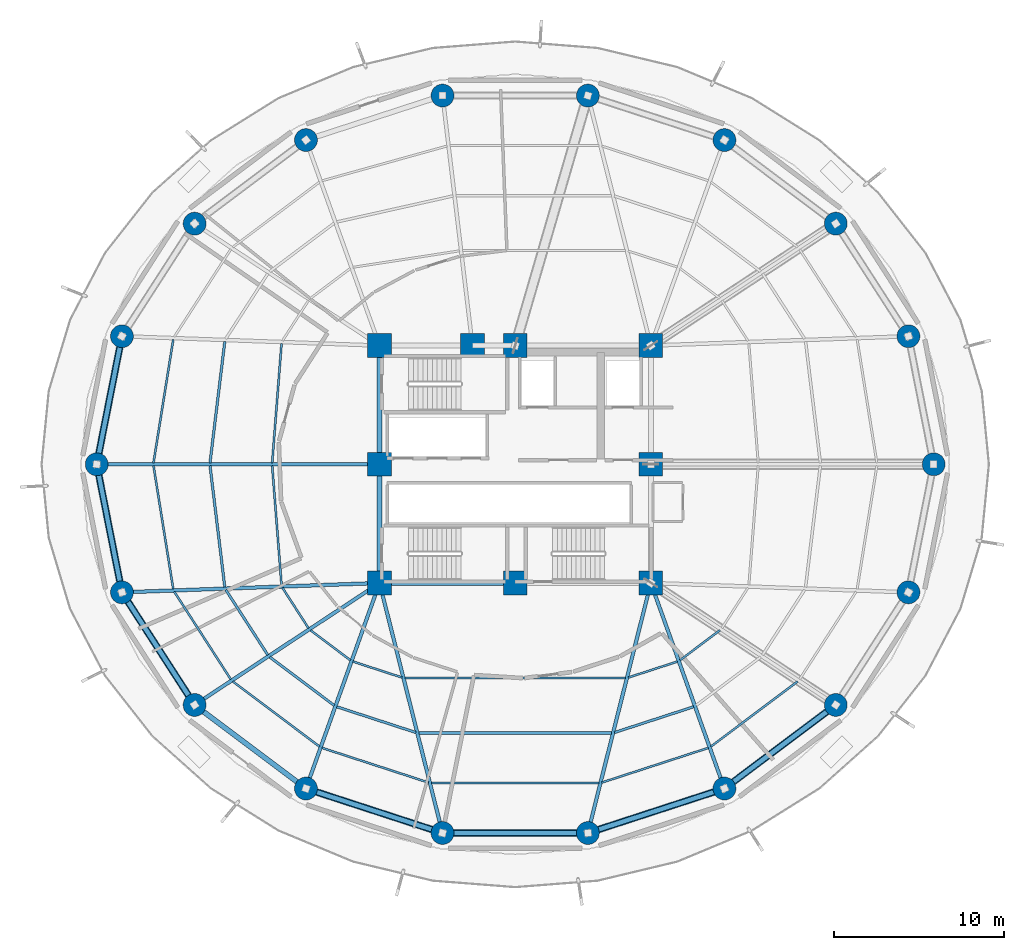
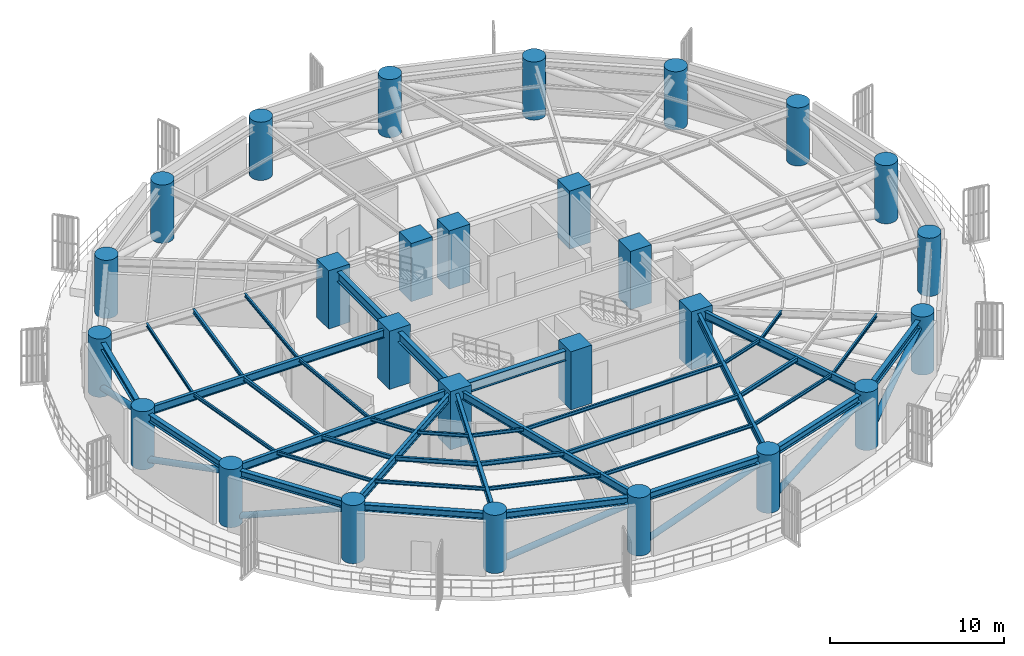
# One storey, part 1 of 10: 41 beams, 27 columns, 7 members.
"""IFC4 building model written with IfcOpenShell, lengths in metres."""

from ifc_helpers import new_model, si_unit, direction, frame, origin, origin_2d, place, context, subcontext, project, spatial, rectangle, circle, hollow_circle, i_section, extrude, material, material_profile, profile_set, type_object, element, save


model = new_model("IFC4")

# Units and contexts
model_context = context("Model", 3, precision=1e-05, world=origin(), true_north=direction((0.0, 1.0)))
body_context = subcontext(model_context, "Body", "Model", "MODEL_VIEW")
ifc_project = project(units=[si_unit("LENGTHUNIT", "METRE"), si_unit("AREAUNIT", "SQUARE_METRE"), si_unit("VOLUMEUNIT", "CUBIC_METRE"), si_unit("PLANEANGLEUNIT", "RADIAN"), si_unit("MASSUNIT", "GRAM", prefix="KILO")], contexts=[model_context])

# Site, building, storey
site_placement = place(None, origin())
site = spatial("IfcSite", under=ifc_project, at=site_placement, CompositionType="ELEMENT")
building_placement = place(site_placement, origin())
building = spatial("IfcBuilding", under=site, at=building_placement, Name="Kelanora Arch Commons", CompositionType="ELEMENT")
storey_placement = place(building_placement, frame((0.0, 0.0, 72.260009765625)))
storey = spatial("IfcBuildingStorey", under=building, at=storey_placement, Name="L18", CompositionType="ELEMENT", Elevation=72.260009765625)

# Columns
ifc_material_1 = material(Name="Concrete C60/75", Category="concrete")
ifc_material_profile_1 = material_profile(ifc_material_1, circle(Radius=0.675048828125, at=origin_2d()), Name="RCC1350")
ifc_profile_set_1 = profile_set([ifc_material_profile_1], Name="Concrete C60/75")
column_type_1 = type_object("IfcColumnType", Name="COL-PERIM-Z2", PredefinedType="COLUMN", material=ifc_profile_set_1)
for number, where, z_axis, x_axis, name in (
    (1, (98.679931640625, 58.0, 0.0), (0.0, 0.0, 1.0), (1.0, 0.0, 0.0), "Perimeter Ring Column CP-00 L18"),
    (2, (97.191650390625, 65.5517578125, 0.0), (0.0, 0.0, 1.0), (1.0, 0.0, 0.0), "Perimeter Ring Column CP-02 L18"),
    (3, (92.906005859375, 72.19287109375, 0.0), (0.0, 0.0, 1.0), (1.0, 0.0, 0.0), "Perimeter Ring Column CP-04 L18"),
    (4, (86.340087890625, 77.121826171875, 0.0), (0.0, 0.0, 1.0), (1.0, 0.0, 0.0), "Perimeter Ring Column CP-06 L18"),
    (5, (78.28564453125, 79.74462890625, 0.0), (0.0, 0.0, 1.0), (1.0, 0.0, 0.0), "Perimeter Ring Column CP-08 L18"),
    (6, (69.71435546875, 79.74462890625, 0.0), (0.0, 0.0, 1.0), (1.0, 0.0, 0.0), "Perimeter Ring Column CP-10 L18"),
    (7, (61.659912109375, 77.121826171875, 0.0), (0.0, 0.0, 1.0), (1.0, 0.0, 0.0), "Perimeter Ring Column CP-12 L18"),
    (8, (55.093994140625, 72.19287109375, 0.0), (0.0, 0.0, 1.0), (1.0, 0.0, 0.0), "Perimeter Ring Column CP-14 L18"),
    (9, (50.808349609375, 65.5517578125, 0.0), (0.0, 0.0, 1.0), (1.0, 0.0, 0.0), "Perimeter Ring Column CP-16 L18"),
    (10, (49.320068359375, 58.0, 0.0), (0.0, 0.0, 1.0), (1.0, 0.0, 0.0), "Perimeter Ring Column CP-18 L18"),
    (11, (50.808349609375, 50.4482421875, 0.0), (0.0, 0.0, 1.0), (1.0, 0.0, 0.0), "Perimeter Ring Column CP-20 L18"),
    (12, (55.093994140625, 43.80712890625, 0.0), (0.0, 0.0, 1.0), (1.0, 0.0, 0.0), "Perimeter Ring Column CP-22 L18"),
    (13, (61.659912109375, 38.878173828125, 0.0), (0.0, 0.0, 1.0), (1.0, 0.0, 0.0), "Perimeter Ring Column CP-24 L18"),
    (14, (69.71435546875, 36.25537109375, 0.0), (0.0, 0.0, 1.0), (1.0, 0.0, 0.0), "Perimeter Ring Column CP-26 L18"),
    (15, (78.28564453125, 36.25537109375, 0.0), (0.0, 0.0, 1.0), (1.0, 0.0, 0.0), "Perimeter Ring Column CP-28 L18"),
    (16, (86.340087890625, 38.878173828125, 0.0), (0.0, 0.0, 1.0), (1.0, 0.0, 0.0), "Perimeter Ring Column CP-30 L18"),
    (17, (92.906005859375, 43.80712890625, 0.0), (0.0, 0.0, 1.0), (1.0, 0.0, 0.0), "Perimeter Ring Column CP-32 L18"),
    (18, (97.191650390625, 50.4482421875, 0.0), (0.0, 0.0, 1.0), (1.0, 0.0, 0.0), "Perimeter Ring Column CP-34 L18"),
):
    element("IfcColumn", number, at=place(storey_placement, frame(where, z_axis=z_axis, x_axis=x_axis)), inside=storey, type_object=column_type_1, Name=name, PredefinedType="COLUMN", context=body_context, shape_type="SweptSolid", body=[
        extrude(circle(Radius=0.675048828125, at=origin_2d()), origin(), (0.0, 0.0, 1.0), 4.090087890625),
    ])
ifc_material_profile_2 = material_profile(ifc_material_1, rectangle(XDim=1.39990234375, YDim=1.39990234375, at=origin_2d()), Name="RC1400x1400")
ifc_profile_set_2 = profile_set([ifc_material_profile_2], Name="Concrete C60/75")
column_type_2 = type_object("IfcColumnType", Name="COL-PIL-LOW", PredefinedType="PILASTER", material=ifc_profile_set_2)
for number, where, z_axis, x_axis, name in (
    (19, (66.0, 51.0, 0.0), (0.0, 0.0, 1.0), (1.0, 0.0, 0.0), "Core Pilaster Column CP1 L18"),
    (20, (74.0, 51.0, 0.0), (0.0, 0.0, 1.0), (1.0, 0.0, 0.0), "Core Pilaster Column CP2 L18"),
    (21, (82.0, 51.0, 0.0), (0.0, 0.0, 1.0), (1.0, 0.0, 0.0), "Core Pilaster Column CP3 L18"),
    (22, (82.0, 58.0, 0.0), (0.0, 0.0, 1.0), (1.0, 0.0, 0.0), "Core Pilaster Column CP4 L18"),
    (23, (82.0, 65.0, 0.0), (0.0, 0.0, 1.0), (1.0, 0.0, 0.0), "Core Pilaster Column CP5 L18"),
    (24, (74.0, 65.0, 0.0), (0.0, 0.0, 1.0), (1.0, 0.0, 0.0), "Core Pilaster Column CP6 L18"),
    (25, (71.47998046875, 65.0, 0.0), (0.0, 0.0, 1.0), (1.0, 0.0, 0.0), "Core Pilaster Column CP9 L18"),
    (26, (66.0, 65.0, 0.0), (0.0, 0.0, 1.0), (1.0, 0.0, 0.0), "Core Pilaster Column CP7 L18"),
    (27, (66.0, 58.0, 0.0), (0.0, 0.0, 1.0), (1.0, 0.0, 0.0), "Core Pilaster Column CP8 L18"),
):
    element("IfcColumn", number, at=place(storey_placement, frame(where, z_axis=z_axis, x_axis=x_axis)), inside=storey, type_object=column_type_2, Name=name, PredefinedType="PILASTER", context=body_context, shape_type="SweptSolid", body=[
        extrude(rectangle(XDim=1.39990234375, YDim=1.39990234375, at=origin_2d()), origin(), (0.0, 0.0, 1.0), 4.090087890625),
    ])

# Beams
ifc_material_2 = material(Name="Steel S355", Category="steel")
ifc_material_profile_3 = material_profile(ifc_material_2, i_section(OverallWidth=0.300048828125, OverallDepth=0.699951171875, WebThickness=0.01708984375, FlangeThickness=0.031982421875, FilletRadius=0.027099609375, at=origin_2d()), Name="HEB700")
ifc_profile_set_3 = profile_set([ifc_material_profile_3], Name="Steel S355")
beam_type_1 = type_object("IfcBeamType", Name="BM-CORE-HDR", PredefinedType="BEAM", material=ifc_profile_set_3)
beam_1_placement = place(storey_placement, frame((66.0, 51.0, 3.47998046875), z_axis=(1.0, 0.0, 0.0), x_axis=(0.0, 1.0, 0.0)))
element("IfcBeam", 28, at=beam_1_placement, inside=storey, type_object=beam_type_1, Name="Core Header Beam 01 L18", PredefinedType="BEAM", context=body_context, shape_type="SweptSolid", body=[
    extrude(i_section(OverallWidth=0.300048828125, OverallDepth=0.699951171875, WebThickness=0.01708984375, FlangeThickness=0.031982421875, FilletRadius=0.027099609375, at=origin_2d()), origin(), (0.0, 0.0, 1.0), 8.0),
])
for number, where, z_axis, x_axis, name in (
    (29, (66.0, 65.0, 3.47998046875), (0.0, -1.0, 0.0), (1.0, 0.0, 0.0), "Core Header Beam 08 L18"),
    (30, (66.0, 58.0, 3.47998046875), (0.0, -1.0, 0.0), (1.0, 0.0, 0.0), "Core Header Beam 09 L18"),
):
    element("IfcBeam", number, at=place(storey_placement, frame(where, z_axis=z_axis, x_axis=x_axis)), inside=storey, type_object=beam_type_1, Name=name, PredefinedType="BEAM", context=body_context, shape_type="SweptSolid", body=[
        extrude(i_section(OverallWidth=0.300048828125, OverallDepth=0.699951171875, WebThickness=0.01708984375, FlangeThickness=0.031982421875, FilletRadius=0.027099609375, at=origin_2d()), origin(), (0.0, 0.0, 1.0), 7.0),
    ])
ifc_material_profile_4 = material_profile(ifc_material_2, i_section(OverallWidth=0.14990234375, OverallDepth=0.300048828125, WebThickness=0.007080078125, FlangeThickness=0.0107421875, FilletRadius=0.014892578125, at=origin_2d()), Name="IPE300")
ifc_profile_set_4 = profile_set([ifc_material_profile_4], Name="Steel S355")
beam_type_2 = type_object("IfcBeamType", Name="BM-JST-01", PredefinedType="JOIST", material=ifc_profile_set_4)
for number, where, z_axis, x_axis, name in (
    (31, (56.874755859375, 65.24658203125, 3.679931640625), (-0.120935645266, -0.992660349618, 0.0), (0.992660349618, -0.120935645266, 0.0), "Secondary Chord Joist BJB-16 L18"),
    (32, (56.002197265625, 57.91552734375, 3.679931640625), (0.120935645266, -0.992660349618, 0.0), (0.992660349618, 0.120935645266, 0.0), "Secondary Chord Joist BJB-18 L18"),
):
    element("IfcBeam", number, at=place(storey_placement, frame(where, z_axis=z_axis, x_axis=x_axis)), inside=storey, type_object=beam_type_2, Name=name, PredefinedType="JOIST", context=body_context, shape_type="SweptSolid", body=[
        extrude(i_section(OverallWidth=0.14990234375, OverallDepth=0.300048828125, WebThickness=0.007080078125, FlangeThickness=0.0107421875, FilletRadius=0.014892578125, at=origin_2d()), origin(), (0.0, 0.0, 1.0), 7.215087890625),
    ])
beam_2_placement = place(storey_placement, frame((56.93115234375, 50.597412109375, 3.679931640625), z_axis=(0.542230243286, -0.840229946661, 0.0), x_axis=(0.840229946661, 0.542230243286, 0.0)))
element("IfcBeam", 33, at=beam_2_placement, inside=storey, type_object=beam_type_2, Name="Secondary Chord Joist BJB-20 L18", PredefinedType="JOIST", context=body_context, shape_type="SweptSolid", body=[
    extrude(i_section(OverallWidth=0.14990234375, OverallDepth=0.300048828125, WebThickness=0.007080078125, FlangeThickness=0.0107421875, FilletRadius=0.014892578125, at=origin_2d()), origin(), (0.0, 0.0, 1.0), 4.572265625),
])
beam_3_placement = place(storey_placement, frame((59.5244140625, 46.63330078125, 3.679931640625), z_axis=(0.79971039107, -0.600385951214, 0.0), x_axis=(0.600385951214, 0.79971039107, 0.0)))
element("IfcBeam", 34, at=beam_3_placement, inside=storey, type_object=beam_type_2, Name="Secondary Chord Joist BJB-22 L18", PredefinedType="JOIST", context=body_context, shape_type="SweptSolid", body=[
    extrude(i_section(OverallWidth=0.14990234375, OverallDepth=0.300048828125, WebThickness=0.007080078125, FlangeThickness=0.0107421875, FilletRadius=0.014892578125, at=origin_2d()), origin(), (0.0, 0.0, 1.0), 4.756103515625),
])
beam_4_placement = place(storey_placement, frame((63.476806640625, 43.70068359375, 3.679931640625), z_axis=(0.950857140254, -0.309629938521, 0.0), x_axis=(0.309629938521, 0.950857140254, 0.0)))
element("IfcBeam", 35, at=beam_4_placement, inside=storey, type_object=beam_type_2, Name="Secondary Chord Joist BJB-24 L18", PredefinedType="JOIST", context=body_context, shape_type="SweptSolid", body=[
    extrude(i_section(OverallWidth=0.14990234375, OverallDepth=0.300048828125, WebThickness=0.007080078125, FlangeThickness=0.0107421875, FilletRadius=0.014892578125, at=origin_2d()), origin(), (0.0, 0.0, 1.0), 4.912353515625),
])
beam_5_placement = place(storey_placement, frame((68.313720703125, 42.1533203125, 3.679931640625), z_axis=(1.0, 0.0, 0.0), x_axis=(0.0, 1.0, 0.0)))
element("IfcBeam", 36, at=beam_5_placement, inside=storey, type_object=beam_type_2, Name="Secondary Chord Joist BJB-26 L18", PredefinedType="JOIST", context=body_context, shape_type="SweptSolid", body=[
    extrude(i_section(OverallWidth=0.14990234375, OverallDepth=0.300048828125, WebThickness=0.007080078125, FlangeThickness=0.0107421875, FilletRadius=0.014892578125, at=origin_2d()), origin(), (0.0, 0.0, 1.0), 11.37255859375),
])
beam_6_placement = place(storey_placement, frame((79.852294921875, 42.1796875, 3.679931640625), z_axis=(0.950857140254, 0.309629938521, 0.0), x_axis=(-0.309629938521, 0.950857140254, 0.0)))
element("IfcBeam", 37, at=beam_6_placement, inside=storey, type_object=beam_type_2, Name="Secondary Chord Joist BJB-28 L18", PredefinedType="JOIST", context=body_context, shape_type="SweptSolid", body=[
    extrude(i_section(OverallWidth=0.14990234375, OverallDepth=0.300048828125, WebThickness=0.007080078125, FlangeThickness=0.0107421875, FilletRadius=0.014892578125, at=origin_2d()), origin(), (0.0, 0.0, 1.0), 4.912353515625),
])
ifc_material_profile_5 = material_profile(ifc_material_2, i_section(OverallWidth=0.1201171875, OverallDepth=0.239990234375, WebThickness=0.006103515625, FlangeThickness=0.009765625, FilletRadius=0.014892578125, at=origin_2d()), Name="IPE240")
ifc_profile_set_5 = profile_set([ifc_material_profile_5], Name="Steel S355")
beam_type_3 = type_object("IfcBeamType", Name="BM-JST-02", PredefinedType="JOIST", material=ifc_profile_set_5)
beam_7_placement = place(storey_placement, frame((60.220458984375, 65.125, 3.7099609375), z_axis=(-0.078200677502, -0.996937637989, 0.0), x_axis=(0.996937637989, -0.078200677502, 0.0)))
element("IfcBeam", 38, at=beam_7_placement, inside=storey, type_object=beam_type_3, Name="Secondary Chord Joist BJA-16 L18", PredefinedType="JOIST", context=body_context, shape_type="SweptSolid", body=[
    extrude(i_section(OverallWidth=0.1201171875, OverallDepth=0.239990234375, WebThickness=0.006103515625, FlangeThickness=0.009765625, FilletRadius=0.014892578125, at=origin_2d()), origin(), (0.0, 0.0, 1.0), 7.06201171875),
])
beam_8_placement = place(storey_placement, frame((53.833251953125, 65.357421875, 3.7099609375), z_axis=(-0.157999549894, -0.987439184068, 0.0), x_axis=(0.987439184068, -0.157999549894, 0.0)))
element("IfcBeam", 39, at=beam_8_placement, inside=storey, type_object=beam_type_3, Name="Secondary Chord Joist BJC-16 L18", PredefinedType="JOIST", context=body_context, shape_type="SweptSolid", body=[
    extrude(i_section(OverallWidth=0.1201171875, OverallDepth=0.239990234375, WebThickness=0.006103515625, FlangeThickness=0.009765625, FilletRadius=0.014892578125, at=origin_2d()), origin(), (0.0, 0.0, 1.0), 7.365966796875),
])
beam_9_placement = place(storey_placement, frame((59.668212890625, 57.915283203125, 3.7099609375), z_axis=(0.078200677502, -0.996937637989, 0.0), x_axis=(0.996937637989, 0.078200677502, 0.0)))
element("IfcBeam", 40, at=beam_9_placement, inside=storey, type_object=beam_type_3, Name="Secondary Chord Joist BJA-18 L18", PredefinedType="JOIST", context=body_context, shape_type="SweptSolid", body=[
    extrude(i_section(OverallWidth=0.1201171875, OverallDepth=0.239990234375, WebThickness=0.006103515625, FlangeThickness=0.009765625, FilletRadius=0.014892578125, at=origin_2d()), origin(), (0.0, 0.0, 1.0), 7.06201171875),
])
beam_10_placement = place(storey_placement, frame((52.66943359375, 57.916015625, 3.7099609375), z_axis=(0.157999549894, -0.987439184068, 0.0), x_axis=(0.987439184068, 0.157999549894, 0.0)))
element("IfcBeam", 41, at=beam_10_placement, inside=storey, type_object=beam_type_3, Name="Secondary Chord Joist BJC-18 L18", PredefinedType="JOIST", context=body_context, shape_type="SweptSolid", body=[
    extrude(i_section(OverallWidth=0.1201171875, OverallDepth=0.239990234375, WebThickness=0.006103515625, FlangeThickness=0.009765625, FilletRadius=0.014892578125, at=origin_2d()), origin(), (0.0, 0.0, 1.0), 7.365966796875),
])
beam_11_placement = place(storey_placement, frame((60.273193359375, 50.718994140625, 3.7099609375), z_axis=(0.542211255502, -0.840242199849, 0.0), x_axis=(0.840242199849, 0.542211255502, 0.0)))
element("IfcBeam", 42, at=beam_11_placement, inside=storey, type_object=beam_type_3, Name="Secondary Chord Joist BJA-20 L18", PredefinedType="JOIST", context=body_context, shape_type="SweptSolid", body=[
    extrude(i_section(OverallWidth=0.1201171875, OverallDepth=0.239990234375, WebThickness=0.006103515625, FlangeThickness=0.009765625, FilletRadius=0.014892578125, at=origin_2d()), origin(), (0.0, 0.0, 1.0), 2.83349609375),
])
beam_12_placement = place(storey_placement, frame((53.892822265625, 50.487060546875, 3.7099609375), z_axis=(0.542212726273, -0.840241250754, 0.0), x_axis=(0.840241250754, 0.542212726273, 0.0)))
element("IfcBeam", 43, at=beam_12_placement, inside=storey, type_object=beam_type_3, Name="Secondary Chord Joist BJC-20 L18", PredefinedType="JOIST", context=body_context, shape_type="SweptSolid", body=[
    extrude(i_section(OverallWidth=0.1201171875, OverallDepth=0.239990234375, WebThickness=0.006103515625, FlangeThickness=0.009765625, FilletRadius=0.014892578125, at=origin_2d()), origin(), (0.0, 0.0, 1.0), 6.15283203125),
])
beam_13_placement = place(storey_placement, frame((61.923583984375, 48.2158203125, 3.7099609375), z_axis=(0.799692034361, -0.600410401458, 0.0), x_axis=(0.600410401458, 0.799692034361, 0.0)))
element("IfcBeam", 44, at=beam_13_placement, inside=storey, type_object=beam_type_3, Name="Secondary Chord Joist BJA-22 L18", PredefinedType="JOIST", context=body_context, shape_type="SweptSolid", body=[
    extrude(i_section(OverallWidth=0.1201171875, OverallDepth=0.239990234375, WebThickness=0.006103515625, FlangeThickness=0.009765625, FilletRadius=0.014892578125, at=origin_2d()), origin(), (0.0, 0.0, 1.0), 2.949951171875),
])
beam_14_placement = place(storey_placement, frame((57.34326171875, 45.194580078125, 3.7099609375), z_axis=(0.799734335646, -0.600354055861, 0.0), x_axis=(0.600354055861, 0.799734335646, 0.0)))
element("IfcBeam", 45, at=beam_14_placement, inside=storey, type_object=beam_type_3, Name="Secondary Chord Joist BJC-22 L18", PredefinedType="JOIST", context=body_context, shape_type="SweptSolid", body=[
    extrude(i_section(OverallWidth=0.1201171875, OverallDepth=0.239990234375, WebThickness=0.006103515625, FlangeThickness=0.009765625, FilletRadius=0.014892578125, at=origin_2d()), origin(), (0.0, 0.0, 1.0), 6.39794921875),
])
beam_15_placement = place(storey_placement, frame((64.431640625, 46.367431640625, 3.7099609375), z_axis=(0.950846758946, -0.309661817151, 0.0), x_axis=(0.309661817151, 0.950846758946, 0.0)))
element("IfcBeam", 46, at=beam_15_placement, inside=storey, type_object=beam_type_3, Name="Secondary Chord Joist BJA-24 L18", PredefinedType="JOIST", context=body_context, shape_type="SweptSolid", body=[
    extrude(i_section(OverallWidth=0.1201171875, OverallDepth=0.239990234375, WebThickness=0.006103515625, FlangeThickness=0.009765625, FilletRadius=0.014892578125, at=origin_2d()), origin(), (0.0, 0.0, 1.0), 3.048828125),
])
beam_16_placement = place(storey_placement, frame((62.60888671875, 41.276123046875, 3.7099609375), z_axis=(0.950862829272, -0.309612467301, 0.0), x_axis=(0.309612467301, 0.950862829272, 0.0)))
element("IfcBeam", 47, at=beam_16_placement, inside=storey, type_object=beam_type_3, Name="Secondary Chord Joist BJC-24 L18", PredefinedType="JOIST", context=body_context, shape_type="SweptSolid", body=[
    extrude(i_section(OverallWidth=0.1201171875, OverallDepth=0.239990234375, WebThickness=0.006103515625, FlangeThickness=0.009765625, FilletRadius=0.014892578125, at=origin_2d()), origin(), (0.0, 0.0, 1.0), 6.6064453125),
])
beam_17_placement = place(storey_placement, frame((67.49658203125, 45.397216796875, 3.7099609375), z_axis=(1.0, 0.0, 0.0), x_axis=(0.0, 1.0, 0.0)))
element("IfcBeam", 48, at=beam_17_placement, inside=storey, type_object=beam_type_3, Name="Secondary Chord Joist BJA-26 L18", PredefinedType="JOIST", context=body_context, shape_type="SweptSolid", body=[
    extrude(i_section(OverallWidth=0.1201171875, OverallDepth=0.239990234375, WebThickness=0.006103515625, FlangeThickness=0.009765625, FilletRadius=0.014892578125, at=origin_2d()), origin(), (0.0, 0.0, 1.0), 13.0068359375),
])
beam_18_placement = place(storey_placement, frame((69.056396484375, 39.204345703125, 3.7099609375), z_axis=(1.0, 0.0, 0.0), x_axis=(0.0, 1.0, 0.0)))
element("IfcBeam", 49, at=beam_18_placement, inside=storey, type_object=beam_type_3, Name="Secondary Chord Joist BJC-26 L18", PredefinedType="JOIST", context=body_context, shape_type="SweptSolid", body=[
    extrude(i_section(OverallWidth=0.1201171875, OverallDepth=0.239990234375, WebThickness=0.006103515625, FlangeThickness=0.009765625, FilletRadius=0.014892578125, at=origin_2d()), origin(), (0.0, 0.0, 1.0), 9.88720703125),
])
beam_19_placement = place(storey_placement, frame((80.66943359375, 45.42333984375, 3.7099609375), z_axis=(0.950846758946, 0.309661817151, 0.0), x_axis=(-0.309661817151, 0.950846758946, 0.0)))
element("IfcBeam", 50, at=beam_19_placement, inside=storey, type_object=beam_type_3, Name="Secondary Chord Joist BJA-28 L18", PredefinedType="JOIST", context=body_context, shape_type="SweptSolid", body=[
    extrude(i_section(OverallWidth=0.1201171875, OverallDepth=0.239990234375, WebThickness=0.006103515625, FlangeThickness=0.009765625, FilletRadius=0.014892578125, at=origin_2d()), origin(), (0.0, 0.0, 1.0), 3.048828125),
])
beam_20_placement = place(storey_placement, frame((79.109375, 39.230712890625, 3.7099609375), z_axis=(0.950862829272, 0.309612467301, 0.0), x_axis=(-0.309612467301, 0.950862829272, 0.0)))
element("IfcBeam", 51, at=beam_20_placement, inside=storey, type_object=beam_type_3, Name="Secondary Chord Joist BJC-28 L18", PredefinedType="JOIST", context=body_context, shape_type="SweptSolid", body=[
    extrude(i_section(OverallWidth=0.1201171875, OverallDepth=0.239990234375, WebThickness=0.006103515625, FlangeThickness=0.009765625, FilletRadius=0.014892578125, at=origin_2d()), origin(), (0.0, 0.0, 1.0), 6.6064453125),
])
beam_21_placement = place(storey_placement, frame((83.71728515625, 46.444580078125, 3.7099609375), z_axis=(0.799692034361, 0.600410401458, 0.0), x_axis=(-0.600410401458, 0.799692034361, 0.0)))
element("IfcBeam", 52, at=beam_21_placement, inside=storey, type_object=beam_type_3, Name="Secondary Chord Joist BJA-30 L18", PredefinedType="JOIST", context=body_context, shape_type="SweptSolid", body=[
    extrude(i_section(OverallWidth=0.1201171875, OverallDepth=0.239990234375, WebThickness=0.006103515625, FlangeThickness=0.009765625, FilletRadius=0.014892578125, at=origin_2d()), origin(), (0.0, 0.0, 1.0), 2.949951171875),
])
beam_22_placement = place(storey_placement, frame((85.5400390625, 41.353515625, 3.7099609375), z_axis=(0.799734335646, 0.600354055861, 0.0), x_axis=(-0.600354055861, 0.799734335646, 0.0)))
element("IfcBeam", 53, at=beam_22_placement, inside=storey, type_object=beam_type_3, Name="Secondary Chord Joist BJC-30 L18", PredefinedType="JOIST", context=body_context, shape_type="SweptSolid", body=[
    extrude(i_section(OverallWidth=0.1201171875, OverallDepth=0.239990234375, WebThickness=0.006103515625, FlangeThickness=0.009765625, FilletRadius=0.014892578125, at=origin_2d()), origin(), (0.0, 0.0, 1.0), 6.39794921875),
])
ifc_material_profile_6 = material_profile(ifc_material_2, i_section(OverallWidth=0.2099609375, OverallDepth=0.550048828125, WebThickness=0.010986328125, FlangeThickness=0.01708984375, FilletRadius=0.02392578125, at=origin_2d()), Name="IPE550")
ifc_profile_set_6 = profile_set([ifc_material_profile_6], Name="Steel S355")
beam_type_4 = type_object("IfcBeamType", Name="BM-RAD-Z2", PredefinedType="BEAM", material=ifc_profile_set_6)
beam_23_placement = place(storey_placement, frame((66.0, 58.0, 3.554931640625), z_axis=(-1.0, 0.0, 0.0), x_axis=(0.0, -1.0, 0.0)))
element("IfcBeam", 54, at=beam_23_placement, inside=storey, type_object=beam_type_4, Name="Radial Floor Girder BR-18 L18", PredefinedType="BEAM", context=body_context, shape_type="SweptSolid", body=[
    extrude(i_section(OverallWidth=0.2099609375, OverallDepth=0.550048828125, WebThickness=0.010986328125, FlangeThickness=0.01708984375, FilletRadius=0.02392578125, at=origin_2d()), origin(), (0.0, 0.0, 1.0), 16.679931640625),
])
beam_24_placement = place(storey_placement, frame((66.0, 51.0, 3.554931640625), z_axis=(-0.999341087625, -0.036295875581, 0.0), x_axis=(0.036295875581, -0.999341087625, 0.0)))
element("IfcBeam", 55, at=beam_24_placement, inside=storey, type_object=beam_type_4, Name="Radial Floor Girder BR-20 L18", PredefinedType="BEAM", context=body_context, shape_type="SweptSolid", body=[
    extrude(i_section(OverallWidth=0.2099609375, OverallDepth=0.550048828125, WebThickness=0.010986328125, FlangeThickness=0.01708984375, FilletRadius=0.02392578125, at=origin_2d()), origin(), (0.0, 0.0, 1.0), 15.20166015625),
])
beam_25_placement = place(storey_placement, frame((66.0, 51.0, 3.554931640625), z_axis=(-0.834788577908, -0.550570640512, 0.0), x_axis=(0.550570640512, -0.834788577908, 0.0)))
element("IfcBeam", 56, at=beam_25_placement, inside=storey, type_object=beam_type_4, Name="Radial Floor Girder BR-22 L18", PredefinedType="BEAM", context=body_context, shape_type="SweptSolid", body=[
    extrude(i_section(OverallWidth=0.2099609375, OverallDepth=0.550048828125, WebThickness=0.010986328125, FlangeThickness=0.01708984375, FilletRadius=0.02392578125, at=origin_2d()), origin(), (0.0, 0.0, 1.0), 13.064453125),
])
beam_26_placement = place(storey_placement, frame((66.0, 51.0, 3.554931640625), z_axis=(-0.337084640008, -0.941474346687, 0.0), x_axis=(0.941474346687, -0.337084640008, 0.0)))
element("IfcBeam", 57, at=beam_26_placement, inside=storey, type_object=beam_type_4, Name="Radial Floor Girder BR-24 L18", PredefinedType="BEAM", context=body_context, shape_type="SweptSolid", body=[
    extrude(i_section(OverallWidth=0.2099609375, OverallDepth=0.550048828125, WebThickness=0.010986328125, FlangeThickness=0.01708984375, FilletRadius=0.02392578125, at=origin_2d()), origin(), (0.0, 0.0, 1.0), 12.875244140625),
])
for number, where, z_axis, x_axis, name in (
    (58, (66.0, 51.0, 3.554931640625), (0.244280647475, -0.969704576286, 0.0), (0.969704576286, 0.244280647475, 0.0), "Radial Floor Girder BR-26 L18"),
    (59, (82.0, 51.0, 3.554931640625), (-0.244280647475, -0.969704576286, 0.0), (0.969704576286, -0.244280647475, 0.0), "Radial Floor Girder BR-28 L18"),
):
    element("IfcBeam", number, at=place(storey_placement, frame(where, z_axis=z_axis, x_axis=x_axis)), inside=storey, type_object=beam_type_4, Name=name, PredefinedType="BEAM", context=body_context, shape_type="SweptSolid", body=[
        extrude(i_section(OverallWidth=0.2099609375, OverallDepth=0.550048828125, WebThickness=0.010986328125, FlangeThickness=0.01708984375, FilletRadius=0.02392578125, at=origin_2d()), origin(), (0.0, 0.0, 1.0), 15.205322265625),
    ])
beam_27_placement = place(storey_placement, frame((82.0, 51.0, 3.554931640625), z_axis=(0.337084640008, -0.941474346687, 0.0), x_axis=(0.941474346687, 0.337084640008, 0.0)))
element("IfcBeam", 60, at=beam_27_placement, inside=storey, type_object=beam_type_4, Name="Radial Floor Girder BR-30 L18", PredefinedType="BEAM", context=body_context, shape_type="SweptSolid", body=[
    extrude(i_section(OverallWidth=0.2099609375, OverallDepth=0.550048828125, WebThickness=0.010986328125, FlangeThickness=0.01708984375, FilletRadius=0.02392578125, at=origin_2d()), origin(), (0.0, 0.0, 1.0), 12.875244140625),
])
ifc_material_profile_7 = material_profile(ifc_material_2, i_section(OverallWidth=0.300048828125, OverallDepth=0.5, WebThickness=0.014404296875, FlangeThickness=0.028076171875, FilletRadius=0.027099609375, at=origin_2d()), Name="HEB500")
ifc_profile_set_7 = profile_set([ifc_material_profile_7], Name="Steel S355")
beam_type_5 = type_object("IfcBeamType", Name="BM-SPN-Z2", PredefinedType="SPANDREL", material=ifc_profile_set_7)
for number, where, z_axis, x_axis, name in (
    (61, (50.808349609375, 65.5517578125, 3.580078125), (-0.19335825777, -0.981128220037, 0.0), (0.981128220037, -0.19335825777, 0.0), "Perimeter Spandrel Beam BS-16 L18"),
    (62, (49.320068359375, 58.0, 3.580078125), (0.19335825777, -0.981128220037, 0.0), (0.981128220037, 0.19335825777, 0.0), "Perimeter Spandrel Beam BS-18 L18"),
):
    element("IfcBeam", number, at=place(storey_placement, frame(where, z_axis=z_axis, x_axis=x_axis)), inside=storey, type_object=beam_type_5, Name=name, PredefinedType="SPANDREL", context=body_context, shape_type="SweptSolid", body=[
        extrude(i_section(OverallWidth=0.300048828125, OverallDepth=0.5, WebThickness=0.014404296875, FlangeThickness=0.028076171875, FilletRadius=0.027099609375, at=origin_2d()), origin(), (0.0, 0.0, 1.0), 7.697021484375),
    ])
beam_28_placement = place(storey_placement, frame((50.808349609375, 50.4482421875, 3.580078125), z_axis=(0.542221144054, -0.840235818649, 0.0), x_axis=(0.840235818649, 0.542221144054, 0.0)))
element("IfcBeam", 63, at=beam_28_placement, inside=storey, type_object=beam_type_5, Name="Perimeter Spandrel Beam BS-20 L18", PredefinedType="SPANDREL", context=body_context, shape_type="SweptSolid", body=[
    extrude(i_section(OverallWidth=0.300048828125, OverallDepth=0.5, WebThickness=0.014404296875, FlangeThickness=0.028076171875, FilletRadius=0.027099609375, at=origin_2d()), origin(), (0.0, 0.0, 1.0), 7.90380859375),
])
beam_29_placement = place(storey_placement, frame((55.093994140625, 43.80712890625, 3.580078125), z_axis=(0.799735861602, -0.600352023123, 0.0), x_axis=(0.600352023123, 0.799735861602, 0.0)))
element("IfcBeam", 64, at=beam_29_placement, inside=storey, type_object=beam_type_5, Name="Perimeter Spandrel Beam BS-22 L18", PredefinedType="SPANDREL", context=body_context, shape_type="SweptSolid", body=[
    extrude(i_section(OverallWidth=0.300048828125, OverallDepth=0.5, WebThickness=0.014404296875, FlangeThickness=0.028076171875, FilletRadius=0.027099609375, at=origin_2d()), origin(), (0.0, 0.0, 1.0), 8.210205078125),
])
beam_30_placement = place(storey_placement, frame((61.659912109375, 38.878173828125, 3.580078125), z_axis=(0.950856631974, -0.309631499418, 0.0), x_axis=(0.309631499418, 0.950856631974, 0.0)))
element("IfcBeam", 65, at=beam_30_placement, inside=storey, type_object=beam_type_5, Name="Perimeter Spandrel Beam BS-24 L18", PredefinedType="SPANDREL", context=body_context, shape_type="SweptSolid", body=[
    extrude(i_section(OverallWidth=0.300048828125, OverallDepth=0.5, WebThickness=0.014404296875, FlangeThickness=0.028076171875, FilletRadius=0.027099609375, at=origin_2d()), origin(), (0.0, 0.0, 1.0), 8.470703125),
])
beam_31_placement = place(storey_placement, frame((69.71435546875, 36.25537109375, 3.580078125), z_axis=(1.0, 0.0, 0.0), x_axis=(0.0, 1.0, 0.0)))
element("IfcBeam", 66, at=beam_31_placement, inside=storey, type_object=beam_type_5, Name="Perimeter Spandrel Beam BS-26 L18", PredefinedType="SPANDREL", context=body_context, shape_type="SweptSolid", body=[
    extrude(i_section(OverallWidth=0.300048828125, OverallDepth=0.5, WebThickness=0.014404296875, FlangeThickness=0.028076171875, FilletRadius=0.027099609375, at=origin_2d()), origin(), (0.0, 0.0, 1.0), 8.5712890625),
])
beam_32_placement = place(storey_placement, frame((78.28564453125, 36.25537109375, 3.580078125), z_axis=(0.950856631974, 0.309631499418, 0.0), x_axis=(-0.309631499418, 0.950856631974, 0.0)))
element("IfcBeam", 67, at=beam_32_placement, inside=storey, type_object=beam_type_5, Name="Perimeter Spandrel Beam BS-28 L18", PredefinedType="SPANDREL", context=body_context, shape_type="SweptSolid", body=[
    extrude(i_section(OverallWidth=0.300048828125, OverallDepth=0.5, WebThickness=0.014404296875, FlangeThickness=0.028076171875, FilletRadius=0.027099609375, at=origin_2d()), origin(), (0.0, 0.0, 1.0), 8.470703125),
])
beam_33_placement = place(storey_placement, frame((86.340087890625, 38.878173828125, 3.580078125), z_axis=(0.799735861602, 0.600352023123, 0.0), x_axis=(-0.600352023123, 0.799735861602, 0.0)))
element("IfcBeam", 68, at=beam_33_placement, inside=storey, type_object=beam_type_5, Name="Perimeter Spandrel Beam BS-30 L18", PredefinedType="SPANDREL", context=body_context, shape_type="SweptSolid", body=[
    extrude(i_section(OverallWidth=0.300048828125, OverallDepth=0.5, WebThickness=0.014404296875, FlangeThickness=0.028076171875, FilletRadius=0.027099609375, at=origin_2d()), origin(), (0.0, 0.0, 1.0), 8.210205078125),
])

# Members
ifc_material_profile_8 = material_profile(ifc_material_2, hollow_circle(Radius=0.203125, WallThickness=0.02001953125, at=origin_2d()), Name="CHS406.4x20")
ifc_profile_set_8 = profile_set([ifc_material_profile_8], Name="Steel S355")
member_type = type_object("IfcMemberType", Name="MEM-BELT-DIAG", PredefinedType="BRACE", material=ifc_profile_set_8)
for number, where, z_axis, x_axis, name in (
    (69, (50.808349609375, 65.5517578125, 0.35009765625), (-0.179115846645, -0.908860132614, 0.376683916336), (0.981128220037, -0.19335825777, 0.0), "Belt Truss Diagonal MB-16 L18"),
    (70, (49.320068359375, 58.0, 0.35009765625), (0.179115846645, -0.908860132614, 0.376683916336), (0.981128220037, 0.19335825777, 0.0), "Belt Truss Diagonal MB-18 L18"),
):
    element("IfcMember", number, at=place(storey_placement, frame(where, z_axis=z_axis, x_axis=x_axis)), inside=storey, type_object=member_type, Name=name, PredefinedType="BRACE", context=body_context, shape_type="SweptSolid", body=[
        extrude(hollow_circle(Radius=0.203125, WallThickness=0.02001953125, at=origin_2d()), origin(), (0.0, 0.0, 1.0), 8.30908203125),
    ])
member_1_placement = place(storey_placement, frame((50.808349609375, 50.4482421875, 0.35009765625), z_axis=(0.504133117679, -0.781213915182, 0.368177427859), x_axis=(0.840235818649, 0.542221144054, 0.0)))
element("IfcMember", 71, at=member_1_placement, inside=storey, type_object=member_type, Name="Belt Truss Diagonal MB-20 L18", PredefinedType="BRACE", context=body_context, shape_type="SweptSolid", body=[
    extrude(hollow_circle(Radius=0.203125, WallThickness=0.02001953125, at=origin_2d()), origin(), (0.0, 0.0, 1.0), 8.5009765625),
])
member_2_placement = place(storey_placement, frame((61.659912109375, 38.878173828125, 0.35009765625), z_axis=(0.891918894106, -0.290439352532, 0.346591501392), x_axis=(0.309631499418, 0.950856631974, 0.0)))
element("IfcMember", 72, at=member_2_placement, inside=storey, type_object=member_type, Name="Belt Truss Diagonal MB-24 L18", PredefinedType="BRACE", context=body_context, shape_type="SweptSolid", body=[
    extrude(hollow_circle(Radius=0.203125, WallThickness=0.02001953125, at=origin_2d()), origin(), (0.0, 0.0, 1.0), 9.030517578125),
])
member_3_placement = place(storey_placement, frame((69.71435546875, 36.25537109375, 0.35009765625), z_axis=(0.939333238715, 0.0, 0.343005928003), x_axis=(0.0, 1.0, 0.0)))
element("IfcMember", 73, at=member_3_placement, inside=storey, type_object=member_type, Name="Belt Truss Diagonal MB-26 L18", PredefinedType="BRACE", context=body_context, shape_type="SweptSolid", body=[
    extrude(hollow_circle(Radius=0.203125, WallThickness=0.02001953125, at=origin_2d()), origin(), (0.0, 0.0, 1.0), 9.124755859375),
])
member_4_placement = place(storey_placement, frame((78.28564453125, 36.25537109375, 0.35009765625), z_axis=(0.891918894106, 0.290439352532, 0.346591501392), x_axis=(-0.309631499418, 0.950856631974, 0.0)))
element("IfcMember", 74, at=member_4_placement, inside=storey, type_object=member_type, Name="Belt Truss Diagonal MB-28 L18", PredefinedType="BRACE", context=body_context, shape_type="SweptSolid", body=[
    extrude(hollow_circle(Radius=0.203125, WallThickness=0.02001953125, at=origin_2d()), origin(), (0.0, 0.0, 1.0), 9.030517578125),
])
member_5_placement = place(storey_placement, frame((86.340087890625, 38.878173828125, 0.35009765625), z_axis=(0.747276035377, 0.560971067086, 0.35621621081), x_axis=(-0.600352023123, 0.799735861602, 0.0)))
element("IfcMember", 75, at=member_5_placement, inside=storey, type_object=member_type, Name="Belt Truss Diagonal MB-30 L18", PredefinedType="BRACE", context=body_context, shape_type="SweptSolid", body=[
    extrude(hollow_circle(Radius=0.203125, WallThickness=0.02001953125, at=origin_2d()), origin(), (0.0, 0.0, 1.0), 8.786376953125),
])

save(model, "model.ifc")
